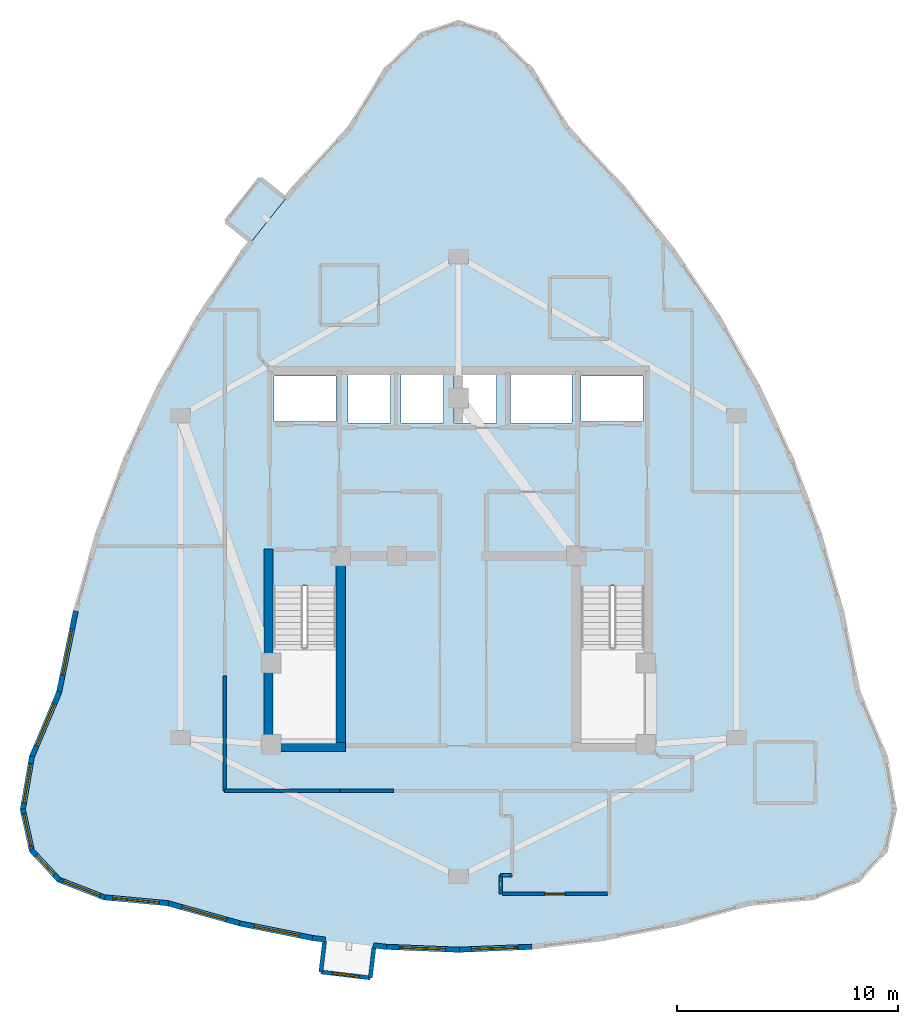
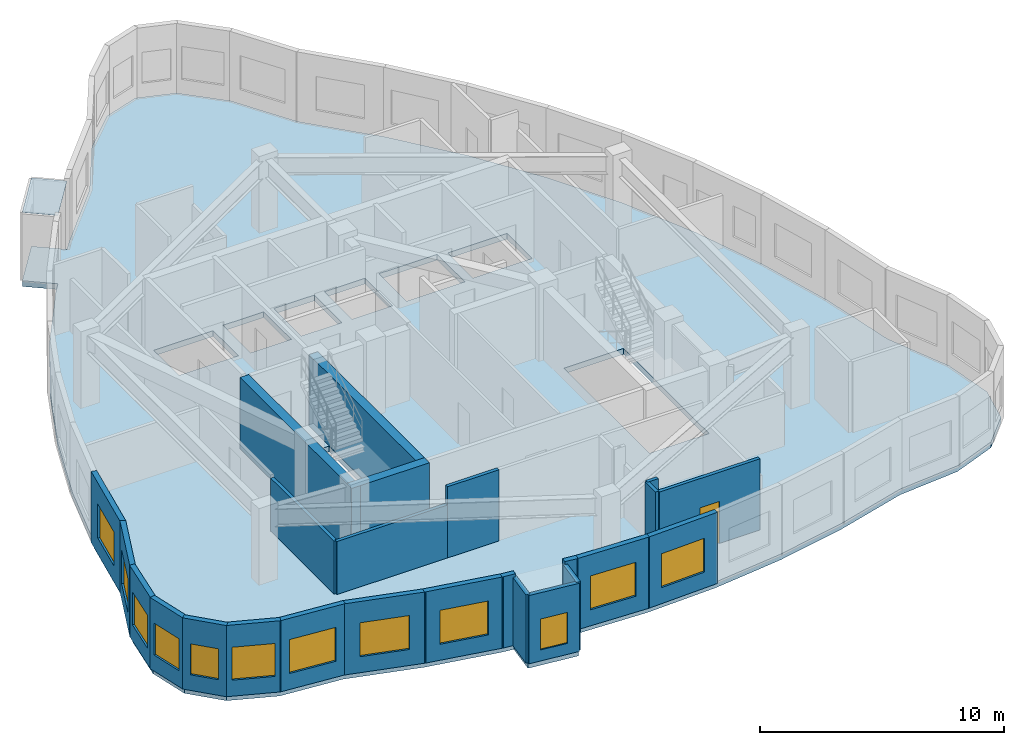
# One storey, part 4 of 9: 25 walls, 12 windows, 1 door, 1 plate, 1 slab, 13 openings.
"""IFC4 building model written with IfcOpenShell, lengths in metres."""

from ifc_helpers import new_model, si_unit, direction, frame, frame_2d, origin, place, context, subcontext, project, spatial, polyline, rectangle, outline, extrude, material, layer, layer_set, type_object, element, fill, save


model = new_model("IFC4")

# Units and contexts
model_context = context("Model", 3, precision=1e-05, world=origin(), true_north=direction((0.0, 1.0)))
body_context = subcontext(model_context, "Body", "Model", "MODEL_VIEW")
ifc_project = project(units=[si_unit("LENGTHUNIT", "METRE"), si_unit("AREAUNIT", "SQUARE_METRE"), si_unit("VOLUMEUNIT", "CUBIC_METRE"), si_unit("PLANEANGLEUNIT", "RADIAN"), si_unit("MASSUNIT", "GRAM", prefix="KILO")], contexts=[model_context])

# Site, building, storey
site_placement = place(None, origin())
site = spatial("IfcSite", under=ifc_project, at=site_placement, CompositionType="ELEMENT")
building_placement = place(site_placement, origin())
building = spatial("IfcBuilding", under=site, at=building_placement, Name="Miruveldt Soraemaru", CompositionType="ELEMENT")
storey_placement = place(building_placement, frame((0.0, 0.0, 275.10009765625)))
storey = spatial("IfcBuildingStorey", under=building, at=storey_placement, Name="L75", CompositionType="ELEMENT", Elevation=275.10009765625)

# Plate
ifc_material_1 = material(Name="Standing-seam titanium-zinc sheet", Category="aluminium")
ifc_layer_1 = layer(ifc_material_1, 0.011962890625, Name="Standing-seam titanium-zinc sheet", Category="aluminium")
ifc_layer_set_1 = layer_set([ifc_layer_1], Name="Standing-seam titanium-zinc sheet")
plate_type = type_object("IfcPlateType", Name="PLT-ZINC-12", PredefinedType="SHEET", material=ifc_layer_set_1)
plate_placement = place(storey_placement, frame((0.0, 0.0, 3.414794921875)))
element("IfcPlate", 1, at=plate_placement, inside=storey, type_object=plate_type, Name="L75 Bay Window Zinc Hood Sheet 2", PredefinedType="SHEET", context=body_context, shape_type="SweptSolid", body=[
    extrude(outline(polyline([(36.1640625, 60.23974609375), (34.60888671875, 58.2900390625), (33.451904296875, 59.212890625), (35.007080078125, 61.16259765625), (36.1640625, 60.23974609375)])), origin(), (0.0, 0.0, 1.0), 0.01220703125),
])

# Slab
ifc_material_2 = material(Name="Concrete C40/50 (40 MPa)", Category="concrete")
ifc_layer_2 = layer(ifc_material_2, 0.284912109375, Name="Concrete C40/50 (40 MPa)", Category="concrete")
ifc_layer_set_2 = layer_set([ifc_layer_2], Name="Concrete C40/50 (40 MPa)")
slab_type = type_object("IfcSlabType", Name="SLAB-RES4-285", PredefinedType="FLOOR", material=ifc_layer_set_2)
slab_placement = place(storey_placement, frame((0.0, 0.0, -0.28515625)))
element("IfcSlab", 2, at=slab_placement, inside=storey, type_object=slab_type, Name="L75 Structural Floor Slab", PredefinedType="FLOOR", context=body_context, shape_type="SweptSolid", body=[
    extrude(outline(polyline([(37.4091796875, 26.72216796875), (34.114013671875, 27.38134765625), (30.818603515625, 28.303955078125), (27.9443359375, 28.569580078125), (25.89111328125, 29.3662109375), (24.6591796875, 30.693603515625), (24.248779296875, 32.55224609375), (24.6591796875, 34.94189453125), (25.89111328125, 37.86279296875), (26.643798828125, 41.5205078125), (27.65234375, 45.04638671875), (28.91650390625, 48.440185546875), (30.436279296875, 51.702392578125), (32.211669921875, 54.8330078125), (34.242919921875, 57.83154296875), (35.386474609375, 59.264892578125), (34.60888671875, 58.2900390625), (33.451904296875, 59.212890625), (35.007080078125, 61.16259765625), (36.1640625, 60.23974609375), (36.52978515625, 60.6982421875), (39.072509765625, 63.43310546875), (40.715087890625, 66.08837890625), (42.357421875, 67.681640625), (44.0, 68.212646484375), (45.642578125, 67.681640625), (47.284912109375, 66.08837890625), (48.927490234375, 63.43310546875), (51.47021484375, 60.6982421875), (53.757080078125, 57.83154296875), (55.788330078125, 54.8330078125), (57.563720703125, 51.702392578125), (59.08349609375, 48.440185546875), (60.34765625, 45.04638671875), (61.356201171875, 41.5205078125), (62.10888671875, 37.86279296875), (63.3408203125, 34.94189453125), (63.751220703125, 32.55224609375), (63.3408203125, 30.693603515625), (62.10888671875, 29.3662109375), (60.0556640625, 28.569580078125), (57.181396484375, 28.303955078125), (53.885986328125, 27.38134765625), (50.5908203125, 26.72216796875), (47.29541015625, 26.326904296875), (44.0, 26.195068359375), (40.70458984375, 26.326904296875), (40.177490234375, 26.39013671875), (40.001220703125, 24.920654296875), (37.76025390625, 25.189453125), (37.9365234375, 26.658935546875), (39.056884765625, 26.5244140625), (37.4091796875, 26.72216796875)]), holes=[polyline([(35.614990234375, 35.6650390625), (38.43505859375, 35.6650390625), (38.43505859375, 42.68505859375), (35.614990234375, 42.68505859375), (35.614990234375, 35.6650390625)]), polyline([(49.56494140625, 35.6650390625), (52.385009765625, 35.6650390625), (52.385009765625, 42.68505859375), (49.56494140625, 42.68505859375), (49.56494140625, 35.6650390625)]), polyline([(38.445068359375, 50.135009765625), (38.445068359375, 52.205078125), (35.635009765625, 52.205078125), (35.635009765625, 50.135009765625), (38.445068359375, 50.135009765625)]), polyline([(52.364990234375, 50.135009765625), (52.364990234375, 52.205078125), (49.554931640625, 52.205078125), (49.554931640625, 50.135009765625), (52.364990234375, 50.135009765625)]), polyline([(40.9150390625, 50.06494140625), (40.9150390625, 52.3349609375), (38.985107421875, 52.3349609375), (38.985107421875, 50.06494140625), (40.9150390625, 50.06494140625)]), polyline([(43.31494140625, 50.06494140625), (43.31494140625, 52.3349609375), (41.385009765625, 52.3349609375), (41.385009765625, 50.06494140625), (43.31494140625, 50.06494140625)]), polyline([(45.715087890625, 50.06494140625), (45.715087890625, 52.3349609375), (43.784912109375, 52.3349609375), (43.784912109375, 50.06494140625), (45.715087890625, 50.06494140625)]), polyline([(49.135009765625, 50.06494140625), (49.135009765625, 52.3349609375), (46.364990234375, 52.3349609375), (46.364990234375, 50.06494140625), (49.135009765625, 50.06494140625)])]), origin(), (0.0, 0.0, 1.0), 0.28515625),
])

# Walls
ifc_material_3 = material(Name="White powder-coated aluminium EN AW-6060 T6", Category="aluminium")
ifc_layer_3 = layer(ifc_material_3, 0.18994140625, Name="White powder-coated aluminium EN AW-6060 T6", Category="aluminium")
ifc_layer_set_3 = layer_set([ifc_layer_3], Name="White powder-coated aluminium EN AW-6060 T6")
wall_type_1 = type_object("IfcWallType", Name="WALL-BAY-ALU190", PredefinedType="SOLIDWALL", material=ifc_layer_set_3)
for number, where, z_axis, x_axis, name in (
    (3, (37.929931640625, 26.604248046875, 0.0), (0.0, 0.0, 1.0), (-0.119077659317, -0.992884943511, 0.0), "L75 Bay Window Side Cheek 1L"),
    (4, (40.001220703125, 24.920654296875, 0.0), (0.0, 0.0, 1.0), (0.119077659317, 0.992884943511, 0.0), "L75 Bay Window Side Cheek 1R"),
):
    element("IfcWall", number, at=place(storey_placement, frame(where, z_axis=z_axis, x_axis=x_axis)), inside=storey, type_object=wall_type_1, Name=name, PredefinedType="SOLIDWALL", context=body_context, shape_type="SweptSolid", body=[
        extrude(rectangle(XDim=1.425048828125, YDim=0.18994140625, at=frame_2d((0.71240234375, 0.0))), origin(), (0.0, 0.0, 1.0), 3.414794921875),
    ])

# Wall, opening, window
wall_1_placement = place(storey_placement, frame((37.76025390625, 25.189453125, 0.0), z_axis=(0.0, 0.0, 1.0), x_axis=(0.992882979254, -0.119094036405, 0.0)))
wall_1 = element("IfcWall", 5, at=wall_1_placement, inside=storey, type_object=wall_type_1, Name="L75 Bay Window Front Frame 1", PredefinedType="SOLIDWALL", context=body_context, shape_type="SweptSolid", body=[
    extrude(rectangle(XDim=2.257080078125, YDim=0.18994140625, at=frame_2d((1.12841796875, 0.0))), origin(), (0.0, 0.0, 1.0), 3.414794921875),
])
opening_1_placement = place(wall_1_placement, frame((0.529052734375, 0.0, 0.550048828125)))
opening_1 = element("IfcOpeningElement", 6, at=opening_1_placement, cuts=wall_1, Name="Opening WN-4", PredefinedType="OPENING", context=body_context, shape_type="SweptSolid", body=[
    extrude(rectangle(XDim=1.199951171875, YDim=1.550048828125, at=frame_2d((0.60009765625, 0.77490234375))), frame((0.0, 0.10498046875, 0.0), z_axis=(0.0, -1.0, 0.0), x_axis=(1.0, 0.0, 0.0)), (0.0, 0.0, 1.0), 0.2099609375),
])
ifc_material_4 = material(Name="Triple low-e insulated glazing", Category="glass")
window_type_1 = type_object("IfcWindowType", Name="WIN-PUNCH-1200x1550", PartitioningType="SINGLE_PANEL", PredefinedType="WINDOW", material=ifc_material_4)
window_1_placement = place(opening_1_placement, origin())
window_1 = element("IfcWindow", 7, at=window_1_placement, inside=storey, type_object=window_type_1, Name="L75 Projecting Bay Window 1", OverallHeight=1.550048828125, OverallWidth=1.199951171875, PartitioningType="SINGLE_PANEL", PredefinedType="WINDOW", context=body_context, shape_type="SweptSolid", body=[
    extrude(rectangle(XDim=1.199951171875, YDim=1.550048828125, at=frame_2d((0.60009765625, 0.77490234375))), frame((0.0, 0.030029296875, 0.0), z_axis=(0.0, -1.0, 0.0), x_axis=(1.0, 0.0, 0.0)), (0.0, 0.0, 1.0), 0.06005859375),
])
fill(opening_1, window_1)

# Walls
ifc_material_5 = material(Name="Concrete C50/60 (50 MPa)", Category="concrete")
ifc_layer_4 = layer(ifc_material_5, 0.419921875, Name="Concrete C50/60 (50 MPa)", Category="concrete")
ifc_layer_set_4 = layer_set([ifc_layer_4], Name="Concrete C50/60 (50 MPa)")
wall_type_2 = type_object("IfcWallType", Name="WALL-CW-420", PredefinedType="SHEAR", material=ifc_layer_set_4)
wall_2_placement = place(storey_placement, frame((35.179931640625, 35.389892578125, 0.0), z_axis=(0.0, 0.0, 1.0), x_axis=(1.0, 0.0, 0.0)))
element("IfcWall", 8, at=wall_2_placement, inside=storey, type_object=wall_type_2, Name="L75 Central Core Shear Wall S1", PredefinedType="SHEAR", context=body_context, shape_type="SweptSolid", body=[
    extrude(rectangle(XDim=3.690185546875, YDim=0.419921875, at=frame_2d((1.84521484375, 0.0))), origin(), (0.0, 0.0, 1.0), 3.56494140625),
])
wall_3_placement = place(storey_placement, frame((35.389892578125, 35.179931640625, 0.0), z_axis=(0.0, 0.0, 1.0), x_axis=(0.0, 1.0, 0.0)))
element("IfcWall", 9, at=wall_3_placement, inside=storey, type_object=wall_type_2, Name="L75 Central Core Shear Wall W1", PredefinedType="SHEAR", context=body_context, shape_type="SweptSolid", body=[
    extrude(rectangle(XDim=9.170166015625, YDim=0.419921875, at=frame_2d((4.5849609375, 0.0))), origin(), (0.0, 0.0, 1.0), 3.56494140625),
])
wall_4_placement = place(storey_placement, frame((38.659912109375, 35.39990234375, 0.0), z_axis=(0.0, 0.0, 1.0), x_axis=(0.0, 1.0, 0.0)))
element("IfcWall", 10, at=wall_4_placement, inside=storey, type_object=wall_type_2, Name="L75 Central Core Shear Wall SW-INT", PredefinedType="SHEAR", context=body_context, shape_type="SweptSolid", body=[
    extrude(rectangle(XDim=8.9501953125, YDim=0.419921875, at=frame_2d((4.47509765625, 0.0))), origin(), (0.0, 0.0, 1.0), 3.56494140625),
])

# Wall, opening, window
ifc_material_6 = material(Name="Precast concrete C45/55 (45 MPa)", Category="concrete")
ifc_layer_5 = layer(ifc_material_6, 0.239990234375, Name="Precast concrete C45/55 (45 MPa)", Category="concrete")
ifc_layer_set_5 = layer_set([ifc_layer_5], Name="Precast concrete C45/55 (45 MPa)")
wall_type_3 = type_object("IfcWallType", Name="WALL-EXT-PC240", PredefinedType="SOLIDWALL", material=ifc_layer_set_5)
wall_5_placement = place(storey_placement, frame((26.65087890625, 41.5546875, 0.0), z_axis=(0.0, 0.0, 1.0), x_axis=(-0.201580487796, -0.979471953116, 0.0)))
wall_5 = element("IfcWall", 11, at=wall_5_placement, inside=storey, type_object=wall_type_3, Name="L75 Precast Concrete Facade Wall 14", PredefinedType="SOLIDWALL", context=body_context, shape_type="SweptSolid", body=[
    extrude(rectangle(XDim=3.80419921875, YDim=0.239990234375, at=frame_2d((1.902099609375, 0.0))), origin(), (0.0, 0.0, 1.0), 3.56494140625),
])
opening_2_placement = place(wall_5_placement, frame((0.85205078125, 0.0, 0.800048828125)))
opening_2 = element("IfcOpeningElement", 12, at=opening_2_placement, cuts=wall_5, Name="Opening WN-1", PredefinedType="OPENING", context=body_context, shape_type="SweptSolid", body=[
    extrude(rectangle(XDim=2.10009765625, YDim=1.699951171875, at=frame_2d((1.050048828125, 0.85009765625))), frame((0.0, 0.1298828125, 0.0), z_axis=(0.0, -1.0, 0.0), x_axis=(1.0, 0.0, 0.0)), (0.0, 0.0, 1.0), 0.260009765625),
])
window_type_2 = type_object("IfcWindowType", Name="WIN-PUNCH-2100x1700", PartitioningType="SINGLE_PANEL", PredefinedType="WINDOW", material=ifc_material_4)
window_2_placement = place(opening_2_placement, origin())
window_2 = element("IfcWindow", 13, at=window_2_placement, inside=storey, type_object=window_type_2, Name="L75 Punched Triple-Glazed Window 14.1", OverallHeight=1.699951171875, OverallWidth=2.10009765625, PartitioningType="SINGLE_PANEL", PredefinedType="WINDOW", context=body_context, shape_type="SweptSolid", body=[
    extrude(rectangle(XDim=2.10009765625, YDim=1.699951171875, at=frame_2d((1.050048828125, 0.85009765625))), frame((0.0, 0.030029296875, 0.0), z_axis=(0.0, -1.0, 0.0), x_axis=(1.0, 0.0, 0.0)), (0.0, 0.0, 1.0), 0.06005859375),
])
fill(opening_2, window_2)

wall_6_placement = place(storey_placement, frame((25.90478515625, 37.89501953125, 0.0), z_axis=(0.0, 0.0, 1.0), x_axis=(-0.388619539303, -0.921398314342, 0.0)))
wall_6 = element("IfcWall", 14, at=wall_6_placement, inside=storey, type_object=wall_type_3, Name="L75 Precast Concrete Facade Wall 15", PredefinedType="SOLIDWALL", context=body_context, shape_type="SweptSolid", body=[
    extrude(rectangle(XDim=3.23974609375, YDim=0.239990234375, at=frame_2d((1.619873046875, 0.0))), origin(), (0.0, 0.0, 1.0), 3.56494140625),
])
opening_3_placement = place(wall_6_placement, frame((0.570068359375, 0.0, 0.800048828125)))
opening_3 = element("IfcOpeningElement", 15, at=opening_3_placement, cuts=wall_6, Name="Opening WN-1", PredefinedType="OPENING", context=body_context, shape_type="SweptSolid", body=[
    extrude(rectangle(XDim=2.10009765625, YDim=1.699951171875, at=frame_2d((1.050048828125, 0.85009765625))), frame((0.0, 0.1298828125, 0.0), z_axis=(0.0, -1.0, 0.0), x_axis=(1.0, 0.0, 0.0)), (0.0, 0.0, 1.0), 0.260009765625),
])
window_3_placement = place(opening_3_placement, origin())
window_3 = element("IfcWindow", 16, at=window_3_placement, inside=storey, type_object=window_type_2, Name="L75 Punched Triple-Glazed Window 15.1", OverallHeight=1.699951171875, OverallWidth=2.10009765625, PartitioningType="SINGLE_PANEL", PredefinedType="WINDOW", context=body_context, shape_type="SweptSolid", body=[
    extrude(rectangle(XDim=2.10009765625, YDim=1.699951171875, at=frame_2d((1.050048828125, 0.85009765625))), frame((0.0, 0.030029296875, 0.0), z_axis=(0.0, -1.0, 0.0), x_axis=(1.0, 0.0, 0.0)), (0.0, 0.0, 1.0), 0.06005859375),
])
fill(opening_3, window_3)

wall_7_placement = place(storey_placement, frame((24.665283203125, 34.9765625, 0.0), z_axis=(0.0, 0.0, 1.0), x_axis=(-0.169300616876, -0.985564458128, 0.0)))
wall_7 = element("IfcWall", 17, at=wall_7_placement, inside=storey, type_object=wall_type_3, Name="L75 Precast Concrete Facade Wall 16", PredefinedType="SOLIDWALL", context=body_context, shape_type="SweptSolid", body=[
    extrude(rectangle(XDim=2.494873046875, YDim=0.239990234375, at=frame_2d((1.24755859375, 0.0))), origin(), (0.0, 0.0, 1.0), 3.56494140625),
])
opening_4_placement = place(wall_7_placement, frame((0.347900390625, 0.0, 0.800048828125)))
opening_4 = element("IfcOpeningElement", 18, at=opening_4_placement, cuts=wall_7, Name="Opening WN-2", PredefinedType="OPENING", context=body_context, shape_type="SweptSolid", body=[
    extrude(rectangle(XDim=1.800048828125, YDim=1.64990234375, at=frame_2d((0.89990234375, 0.824951171875))), frame((0.0, 0.1298828125, 0.0), z_axis=(0.0, -1.0, 0.0), x_axis=(1.0, 0.0, 0.0)), (0.0, 0.0, 1.0), 0.260009765625),
])
window_type_3 = type_object("IfcWindowType", Name="WIN-PUNCH-1800x1650", PartitioningType="SINGLE_PANEL", PredefinedType="WINDOW", material=ifc_material_4)
window_4_placement = place(opening_4_placement, origin())
window_4 = element("IfcWindow", 19, at=window_4_placement, inside=storey, type_object=window_type_3, Name="L75 Punched Triple-Glazed Window 16.1", OverallHeight=1.64990234375, OverallWidth=1.800048828125, PartitioningType="SINGLE_PANEL", PredefinedType="WINDOW", context=body_context, shape_type="SweptSolid", body=[
    extrude(rectangle(XDim=1.800048828125, YDim=1.64990234375, at=frame_2d((0.89990234375, 0.824951171875))), frame((0.0, 0.030029296875, 0.0), z_axis=(0.0, -1.0, 0.0), x_axis=(1.0, 0.0, 0.0)), (0.0, 0.0, 1.0), 0.06005859375),
])
fill(opening_4, window_4)

wall_8_placement = place(storey_placement, frame((24.2412109375, 32.58642578125, 0.0), z_axis=(0.0, 0.0, 1.0), x_axis=(0.215751409711, -0.97644832388, 0.0)))
wall_8 = element("IfcWall", 20, at=wall_8_placement, inside=storey, type_object=wall_type_3, Name="L75 Precast Concrete Facade Wall 17", PredefinedType="SOLIDWALL", context=body_context, shape_type="SweptSolid", body=[
    extrude(rectangle(XDim=1.973388671875, YDim=0.239990234375, at=frame_2d((0.98681640625, 0.0))), origin(), (0.0, 0.0, 1.0), 3.56494140625),
])
opening_5_placement = place(wall_8_placement, frame((0.236083984375, 0.0, 0.800048828125)))
opening_5 = element("IfcOpeningElement", 21, at=opening_5_placement, cuts=wall_8, Name="Opening WN-3", PredefinedType="OPENING", context=body_context, shape_type="SweptSolid", body=[
    extrude(rectangle(XDim=1.5, YDim=1.60009765625, at=frame_2d((0.75, 0.800048828125))), frame((0.0, 0.1298828125, 0.0), z_axis=(0.0, -1.0, 0.0), x_axis=(1.0, 0.0, 0.0)), (0.0, 0.0, 1.0), 0.260009765625),
])
window_type_4 = type_object("IfcWindowType", Name="WIN-PUNCH-1500x1600", PartitioningType="SINGLE_PANEL", PredefinedType="WINDOW", material=ifc_material_4)
window_5_placement = place(opening_5_placement, origin())
window_5 = element("IfcWindow", 22, at=window_5_placement, inside=storey, type_object=window_type_4, Name="L75 Punched Triple-Glazed Window 17.1", OverallHeight=1.60009765625, OverallWidth=1.5, PartitioningType="SINGLE_PANEL", PredefinedType="WINDOW", context=body_context, shape_type="SweptSolid", body=[
    extrude(rectangle(XDim=1.5, YDim=1.60009765625, at=frame_2d((0.75, 0.800048828125))), frame((0.0, 0.030029296875, 0.0), z_axis=(0.0, -1.0, 0.0), x_axis=(1.0, 0.0, 0.0)), (0.0, 0.0, 1.0), 0.06005859375),
])
fill(opening_5, window_5)

wall_9_placement = place(storey_placement, frame((24.635498046875, 30.719482421875, 0.0), z_axis=(0.0, 0.0, 1.0), x_axis=(0.680137449919, -0.733084612591, 0.0)))
wall_9 = element("IfcWall", 23, at=wall_9_placement, inside=storey, type_object=wall_type_3, Name="L75 Precast Concrete Facade Wall 18", PredefinedType="SOLIDWALL", context=body_context, shape_type="SweptSolid", body=[
    extrude(rectangle(XDim=1.88134765625, YDim=0.239990234375, at=frame_2d((0.940673828125, 0.0))), origin(), (0.0, 0.0, 1.0), 3.56494140625),
])
opening_6_placement = place(wall_9_placement, frame((0.341064453125, 0.0, 0.780029296875)))
opening_6 = element("IfcOpeningElement", 24, at=opening_6_placement, cuts=wall_9, Name="Opening WN-4", PredefinedType="OPENING", context=body_context, shape_type="SweptSolid", body=[
    extrude(rectangle(XDim=1.199951171875, YDim=1.550048828125, at=frame_2d((0.60009765625, 0.77490234375))), frame((0.0, 0.1298828125, 0.0), z_axis=(0.0, -1.0, 0.0), x_axis=(1.0, 0.0, 0.0)), (0.0, 0.0, 1.0), 0.260009765625),
])
window_6_placement = place(opening_6_placement, origin())
window_6 = element("IfcWindow", 25, at=window_6_placement, inside=storey, type_object=window_type_1, Name="L75 Punched Triple-Glazed Window 18.1", OverallHeight=1.550048828125, OverallWidth=1.199951171875, PartitioningType="SINGLE_PANEL", PredefinedType="WINDOW", context=body_context, shape_type="SweptSolid", body=[
    extrude(rectangle(XDim=1.199951171875, YDim=1.550048828125, at=frame_2d((0.60009765625, 0.77490234375))), frame((0.0, 0.030029296875, 0.0), z_axis=(0.0, -1.0, 0.0), x_axis=(1.0, 0.0, 0.0)), (0.0, 0.0, 1.0), 0.06005859375),
])
fill(opening_6, window_6)

wall_10_placement = place(storey_placement, frame((25.858642578125, 29.37890625, 0.0), z_axis=(0.0, 0.0, 1.0), x_axis=(0.932258526096, -0.361792814358, 0.0)))
wall_10 = element("IfcWall", 26, at=wall_10_placement, inside=storey, type_object=wall_type_3, Name="L75 Precast Concrete Facade Wall 19", PredefinedType="SOLIDWALL", context=body_context, shape_type="SweptSolid", body=[
    extrude(rectangle(XDim=2.27197265625, YDim=0.239990234375, at=frame_2d((1.135986328125, 0.0))), origin(), (0.0, 0.0, 1.0), 3.56494140625),
])
opening_7_placement = place(wall_10_placement, frame((0.236083984375, 0.0, 0.800048828125)))
opening_7 = element("IfcOpeningElement", 27, at=opening_7_placement, cuts=wall_10, Name="Opening WN-2", PredefinedType="OPENING", context=body_context, shape_type="SweptSolid", body=[
    extrude(rectangle(XDim=1.800048828125, YDim=1.64990234375, at=frame_2d((0.89990234375, 0.824951171875))), frame((0.0, 0.1298828125, 0.0), z_axis=(0.0, -1.0, 0.0), x_axis=(1.0, 0.0, 0.0)), (0.0, 0.0, 1.0), 0.260009765625),
])
window_7_placement = place(opening_7_placement, origin())
window_7 = element("IfcWindow", 28, at=window_7_placement, inside=storey, type_object=window_type_3, Name="L75 Punched Triple-Glazed Window 19.1", OverallHeight=1.64990234375, OverallWidth=1.800048828125, PartitioningType="SINGLE_PANEL", PredefinedType="WINDOW", context=body_context, shape_type="SweptSolid", body=[
    extrude(rectangle(XDim=1.800048828125, YDim=1.64990234375, at=frame_2d((0.89990234375, 0.824951171875))), frame((0.0, 0.030029296875, 0.0), z_axis=(0.0, -1.0, 0.0), x_axis=(1.0, 0.0, 0.0)), (0.0, 0.0, 1.0), 0.06005859375),
])
fill(opening_7, window_7)

wall_11_placement = place(storey_placement, frame((27.909423828125, 28.57275390625, 0.0), z_axis=(0.0, 0.0, 1.0), x_axis=(0.995760165167, -0.091987463637, 0.0)))
wall_11 = element("IfcWall", 29, at=wall_11_placement, inside=storey, type_object=wall_type_3, Name="L75 Precast Concrete Facade Wall 20", PredefinedType="SOLIDWALL", context=body_context, shape_type="SweptSolid", body=[
    extrude(rectangle(XDim=2.95654296875, YDim=0.239990234375, at=frame_2d((1.478271484375, 0.0))), origin(), (0.0, 0.0, 1.0), 3.56494140625),
])
opening_8_placement = place(wall_11_placement, frame((0.428955078125, 0.0, 0.800048828125)))
opening_8 = element("IfcOpeningElement", 30, at=opening_8_placement, cuts=wall_11, Name="Opening WN-1", PredefinedType="OPENING", context=body_context, shape_type="SweptSolid", body=[
    extrude(rectangle(XDim=2.10009765625, YDim=1.699951171875, at=frame_2d((1.050048828125, 0.85009765625))), frame((0.0, 0.1298828125, 0.0), z_axis=(0.0, -1.0, 0.0), x_axis=(1.0, 0.0, 0.0)), (0.0, 0.0, 1.0), 0.260009765625),
])
window_8_placement = place(opening_8_placement, origin())
window_8 = element("IfcWindow", 31, at=window_8_placement, inside=storey, type_object=window_type_2, Name="L75 Punched Triple-Glazed Window 20.1", OverallHeight=1.699951171875, OverallWidth=2.10009765625, PartitioningType="SINGLE_PANEL", PredefinedType="WINDOW", context=body_context, shape_type="SweptSolid", body=[
    extrude(rectangle(XDim=2.10009765625, YDim=1.699951171875, at=frame_2d((1.050048828125, 0.85009765625))), frame((0.0, 0.030029296875, 0.0), z_axis=(0.0, -1.0, 0.0), x_axis=(1.0, 0.0, 0.0)), (0.0, 0.0, 1.0), 0.06005859375),
])
fill(opening_8, window_8)

wall_12_placement = place(storey_placement, frame((30.784912109375, 28.3134765625, 0.0), z_axis=(0.0, 0.0, 1.0), x_axis=(0.962958936967, -0.269648077529, 0.0)))
wall_12 = element("IfcWall", 32, at=wall_12_placement, inside=storey, type_object=wall_type_3, Name="L75 Precast Concrete Facade Wall 21", PredefinedType="SOLIDWALL", context=body_context, shape_type="SweptSolid", body=[
    extrude(rectangle(XDim=3.4921875, YDim=0.239990234375, at=frame_2d((1.74609375, 0.0))), origin(), (0.0, 0.0, 1.0), 3.56494140625),
])
opening_9_placement = place(wall_12_placement, frame((0.696044921875, 0.0, 0.800048828125)))
opening_9 = element("IfcOpeningElement", 33, at=opening_9_placement, cuts=wall_12, Name="Opening WN-1", PredefinedType="OPENING", context=body_context, shape_type="SweptSolid", body=[
    extrude(rectangle(XDim=2.10009765625, YDim=1.699951171875, at=frame_2d((1.050048828125, 0.85009765625))), frame((0.0, 0.1298828125, 0.0), z_axis=(0.0, -1.0, 0.0), x_axis=(1.0, 0.0, 0.0)), (0.0, 0.0, 1.0), 0.260009765625),
])
window_9_placement = place(opening_9_placement, origin())
window_9 = element("IfcWindow", 34, at=window_9_placement, inside=storey, type_object=window_type_2, Name="L75 Punched Triple-Glazed Window 21.1", OverallHeight=1.699951171875, OverallWidth=2.10009765625, PartitioningType="SINGLE_PANEL", PredefinedType="WINDOW", context=body_context, shape_type="SweptSolid", body=[
    extrude(rectangle(XDim=2.10009765625, YDim=1.699951171875, at=frame_2d((1.050048828125, 0.85009765625))), frame((0.0, 0.030029296875, 0.0), z_axis=(0.0, -1.0, 0.0), x_axis=(1.0, 0.0, 0.0)), (0.0, 0.0, 1.0), 0.06005859375),
])
fill(opening_9, window_9)

wall_13_placement = place(storey_placement, frame((34.07958984375, 27.38818359375, 0.0), z_axis=(0.0, 0.0, 1.0), x_axis=(0.980577938493, -0.196129820632, 0.0)))
wall_13 = element("IfcWall", 35, at=wall_13_placement, inside=storey, type_object=wall_type_3, Name="L75 Precast Concrete Facade Wall 22", PredefinedType="SOLIDWALL", context=body_context, shape_type="SweptSolid", body=[
    extrude(rectangle(XDim=3.4306640625, YDim=0.239990234375, at=frame_2d((1.71533203125, 0.0))), origin(), (0.0, 0.0, 1.0), 3.56494140625),
])
opening_10_placement = place(wall_13_placement, frame((0.6650390625, 0.0, 0.800048828125)))
opening_10 = element("IfcOpeningElement", 36, at=opening_10_placement, cuts=wall_13, Name="Opening WN-1", PredefinedType="OPENING", context=body_context, shape_type="SweptSolid", body=[
    extrude(rectangle(XDim=2.10009765625, YDim=1.699951171875, at=frame_2d((1.050048828125, 0.85009765625))), frame((0.0, 0.1298828125, 0.0), z_axis=(0.0, -1.0, 0.0), x_axis=(1.0, 0.0, 0.0)), (0.0, 0.0, 1.0), 0.260009765625),
])
window_10_placement = place(opening_10_placement, origin())
window_10 = element("IfcWindow", 37, at=window_10_placement, inside=storey, type_object=window_type_2, Name="L75 Punched Triple-Glazed Window 22.1", OverallHeight=1.699951171875, OverallWidth=2.10009765625, PartitioningType="SINGLE_PANEL", PredefinedType="WINDOW", context=body_context, shape_type="SweptSolid", body=[
    extrude(rectangle(XDim=2.10009765625, YDim=1.699951171875, at=frame_2d((1.050048828125, 0.85009765625))), frame((0.0, 0.030029296875, 0.0), z_axis=(0.0, -1.0, 0.0), x_axis=(1.0, 0.0, 0.0)), (0.0, 0.0, 1.0), 0.06005859375),
])
fill(opening_10, window_10)

# Walls
wall_14_placement = place(storey_placement, frame((37.37451171875, 26.726318359375, 0.0), z_axis=(0.0, 0.0, 1.0), x_axis=(0.99287102279, -0.119193674766, 0.0)))
element("IfcWall", 38, at=wall_14_placement, inside=storey, type_object=wall_type_3, Name="L75 Precast Pier Wall 23A", PredefinedType="SOLIDWALL", context=body_context, shape_type="SweptSolid", body=[
    extrude(rectangle(XDim=0.595947265625, YDim=0.239990234375, at=frame_2d((0.2978515625, 0.0))), origin(), (0.0, 0.0, 1.0), 3.56494140625),
])
wall_15_placement = place(storey_placement, frame((40.147705078125, 26.393798828125, 0.0), z_axis=(0.0, 0.0, 1.0), x_axis=(0.992822469353, -0.119597426176, 0.0)))
element("IfcWall", 39, at=wall_15_placement, inside=storey, type_object=wall_type_3, Name="L75 Precast Pier Wall 23B", PredefinedType="SOLIDWALL", context=body_context, shape_type="SweptSolid", body=[
    extrude(rectangle(XDim=0.59619140625, YDim=0.239990234375, at=frame_2d((0.298095703125, 0.0))), origin(), (0.0, 0.0, 1.0), 3.56494140625),
])

# Wall, opening, window
wall_16_placement = place(storey_placement, frame((40.669677734375, 26.328125, 0.0), z_axis=(0.0, 0.0, 1.0), x_axis=(0.99920200057, -0.039941983627, 0.0)))
wall_16 = element("IfcWall", 40, at=wall_16_placement, inside=storey, type_object=wall_type_3, Name="L75 Precast Concrete Facade Wall 24", PredefinedType="SOLIDWALL", context=body_context, shape_type="SweptSolid", body=[
    extrude(rectangle(XDim=3.367919921875, YDim=0.239990234375, at=frame_2d((1.68408203125, 0.0))), origin(), (0.0, 0.0, 1.0), 3.56494140625),
])
opening_11_placement = place(wall_16_placement, frame((0.634033203125, 0.0, 0.800048828125)))
opening_11 = element("IfcOpeningElement", 41, at=opening_11_placement, cuts=wall_16, Name="Opening WN-1", PredefinedType="OPENING", context=body_context, shape_type="SweptSolid", body=[
    extrude(rectangle(XDim=2.10009765625, YDim=1.699951171875, at=frame_2d((1.050048828125, 0.85009765625))), frame((0.0, 0.1298828125, 0.0), z_axis=(0.0, -1.0, 0.0), x_axis=(1.0, 0.0, 0.0)), (0.0, 0.0, 1.0), 0.260009765625),
])
window_11_placement = place(opening_11_placement, origin())
window_11 = element("IfcWindow", 42, at=window_11_placement, inside=storey, type_object=window_type_2, Name="L75 Punched Triple-Glazed Window 24.1", OverallHeight=1.699951171875, OverallWidth=2.10009765625, PartitioningType="SINGLE_PANEL", PredefinedType="WINDOW", context=body_context, shape_type="SweptSolid", body=[
    extrude(rectangle(XDim=2.10009765625, YDim=1.699951171875, at=frame_2d((1.050048828125, 0.85009765625))), frame((0.0, 0.030029296875, 0.0), z_axis=(0.0, -1.0, 0.0), x_axis=(1.0, 0.0, 0.0)), (0.0, 0.0, 1.0), 0.06005859375),
])
fill(opening_11, window_11)

wall_17_placement = place(storey_placement, frame((43.965087890625, 26.193603515625, 0.0), z_axis=(0.0, 0.0, 1.0), x_axis=(0.99920200057, 0.039941983627, 0.0)))
wall_17 = element("IfcWall", 43, at=wall_17_placement, inside=storey, type_object=wall_type_3, Name="L75 Precast Concrete Facade Wall 25", PredefinedType="SOLIDWALL", context=body_context, shape_type="SweptSolid", body=[
    extrude(rectangle(XDim=3.367919921875, YDim=0.239990234375, at=frame_2d((1.68408203125, 0.0))), origin(), (0.0, 0.0, 1.0), 3.56494140625),
])
opening_12_placement = place(wall_17_placement, frame((0.634033203125, 0.0, 0.800048828125)))
opening_12 = element("IfcOpeningElement", 44, at=opening_12_placement, cuts=wall_17, Name="Opening WN-1", PredefinedType="OPENING", context=body_context, shape_type="SweptSolid", body=[
    extrude(rectangle(XDim=2.10009765625, YDim=1.699951171875, at=frame_2d((1.050048828125, 0.85009765625))), frame((0.0, 0.1298828125, 0.0), z_axis=(0.0, -1.0, 0.0), x_axis=(1.0, 0.0, 0.0)), (0.0, 0.0, 1.0), 0.260009765625),
])
window_12_placement = place(opening_12_placement, origin())
window_12 = element("IfcWindow", 45, at=window_12_placement, inside=storey, type_object=window_type_2, Name="L75 Punched Triple-Glazed Window 25.1", OverallHeight=1.699951171875, OverallWidth=2.10009765625, PartitioningType="SINGLE_PANEL", PredefinedType="WINDOW", context=body_context, shape_type="SweptSolid", body=[
    extrude(rectangle(XDim=2.10009765625, YDim=1.699951171875, at=frame_2d((1.050048828125, 0.85009765625))), frame((0.0, 0.030029296875, 0.0), z_axis=(0.0, -1.0, 0.0), x_axis=(1.0, 0.0, 0.0)), (0.0, 0.0, 1.0), 0.06005859375),
])
fill(opening_12, window_12)

# Wall, opening, door
ifc_layer_6 = layer(ifc_material_2, 0.159912109375, Name="Concrete C40/50 (40 MPa)", Category="concrete")
ifc_layer_set_6 = layer_set([ifc_layer_6], Name="Concrete C40/50 (40 MPa)")
wall_type_4 = type_object("IfcWallType", Name="WALL-INT-RC160", PredefinedType="SOLIDWALL", material=ifc_layer_set_6)
wall_18_placement = place(storey_placement, frame((50.743896484375, 28.72509765625, 0.0), z_axis=(0.0, 0.0, 1.0), x_axis=(-1.0, 0.0, 0.0)))
wall_18 = element("IfcWall", 46, at=wall_18_placement, inside=storey, type_object=wall_type_4, Name="L75 Partition Wall 28", PredefinedType="SOLIDWALL", context=body_context, shape_type="SweptSolid", body=[
    extrude(rectangle(XDim=4.751953125, YDim=0.159912109375, at=frame_2d((2.3759765625, 0.0))), origin(), (0.0, 0.0, 1.0), 3.56494140625),
])
opening_13_placement = place(wall_18_placement, frame((1.916015625, 0.0, 0.0)))
opening_13 = element("IfcOpeningElement", 47, at=opening_13_placement, cuts=wall_18, Name="Opening D3A", PredefinedType="OPENING", context=body_context, shape_type="SweptSolid", body=[
    extrude(rectangle(XDim=0.919921875, YDim=2.10009765625, at=frame_2d((0.4599609375, 1.050048828125))), frame((0.0, 0.08984375, 0.0), z_axis=(0.0, -1.0, 0.0), x_axis=(1.0, 0.0, 0.0)), (0.0, 0.0, 1.0), 0.179931640625),
])
ifc_material_7 = material(Name="Anodised aluminium EN AW-6063 T6", Category="aluminium")
door_type = type_object("IfcDoorType", Name="DOOR-INT-920", OperationType="NOTDEFINED", PredefinedType="DOOR", material=ifc_material_7)
door_placement = place(opening_13_placement, origin())
door = element("IfcDoor", 48, at=door_placement, inside=storey, type_object=door_type, Name="L75 Unit 7503 BD2 Door", OperationType="SINGLE_SWING_LEFT", OverallHeight=2.10009765625, OverallWidth=0.919921875, PredefinedType="DOOR", context=body_context, shape_type="SweptSolid", body=[
    extrude(rectangle(XDim=0.919921875, YDim=2.10009765625, at=frame_2d((0.4599609375, 1.050048828125))), frame((0.0, 0.02490234375, 0.0), z_axis=(0.0, -1.0, 0.0), x_axis=(1.0, 0.0, 0.0)), (0.0, 0.0, 1.0), 0.050048828125),
])
fill(opening_13, door)

# Walls
wall_19_placement = place(storey_placement, frame((33.39990234375, 33.39990234375, 0.0), z_axis=(0.0, 0.0, 1.0), x_axis=(1.0, 0.0, 0.0)))
element("IfcWall", 49, at=wall_19_placement, inside=storey, type_object=wall_type_4, Name="L75 Partition Wall 6", PredefinedType="SOLIDWALL", context=body_context, shape_type="SweptSolid", body=[
    extrude(rectangle(XDim=5.236083984375, YDim=0.159912109375, at=frame_2d((2.6181640625, 0.0))), origin(), (0.0, 0.0, 1.0), 2.65283203125),
])
wall_20_placement = place(storey_placement, frame((33.39990234375, 38.611083984375, 0.0), z_axis=(0.0, 0.0, 1.0), x_axis=(0.0, -1.0, 0.0)))
element("IfcWall", 50, at=wall_20_placement, inside=storey, type_object=wall_type_4, Name="L75 Partition Wall 5", PredefinedType="SOLIDWALL", context=body_context, shape_type="SweptSolid", body=[
    extrude(rectangle(XDim=5.211181640625, YDim=0.159912109375, at=frame_2d((2.60546875, 0.0))), origin(), (0.0, 0.0, 1.0), 2.65283203125),
])
wall_21_placement = place(storey_placement, frame((38.635986328125, 33.39990234375, 0.0), z_axis=(0.0, 0.0, 1.0), x_axis=(1.0, 0.0, 0.0)))
element("IfcWall", 51, at=wall_21_placement, inside=storey, type_object=wall_type_4, Name="L75 Partition Wall 7", PredefinedType="SOLIDWALL", context=body_context, shape_type="SweptSolid", body=[
    extrude(rectangle(XDim=2.445068359375, YDim=0.159912109375, at=frame_2d((1.22265625, 0.0))), origin(), (0.0, 0.0, 1.0), 3.56494140625),
])
wall_22_placement = place(storey_placement, frame((45.912109375, 28.72509765625, 0.0), z_axis=(0.0, 0.0, 1.0), x_axis=(0.0, 1.0, 0.0)))
element("IfcWall", 52, at=wall_22_placement, inside=storey, type_object=wall_type_4, Name="L75 Partition Wall 29", PredefinedType="SOLIDWALL", context=body_context, shape_type="SweptSolid", body=[
    extrude(rectangle(XDim=0.851806640625, YDim=0.159912109375, at=frame_2d((0.42578125, 0.0))), origin(), (0.0, 0.0, 1.0), 3.56494140625),
])
wall_23_placement = place(storey_placement, frame((45.912109375, 29.576904296875, 0.0), z_axis=(0.0, 0.0, 1.0), x_axis=(1.0, 0.0, 0.0)))
element("IfcWall", 53, at=wall_23_placement, inside=storey, type_object=wall_type_4, Name="L75 Partition Wall 34", PredefinedType="SOLIDWALL", context=body_context, shape_type="SweptSolid", body=[
    extrude(rectangle(XDim=0.517822265625, YDim=0.159912109375, at=frame_2d((0.2587890625, 0.0))), origin(), (0.0, 0.0, 1.0), 3.56494140625),
])

save(model, "model.ifc")
